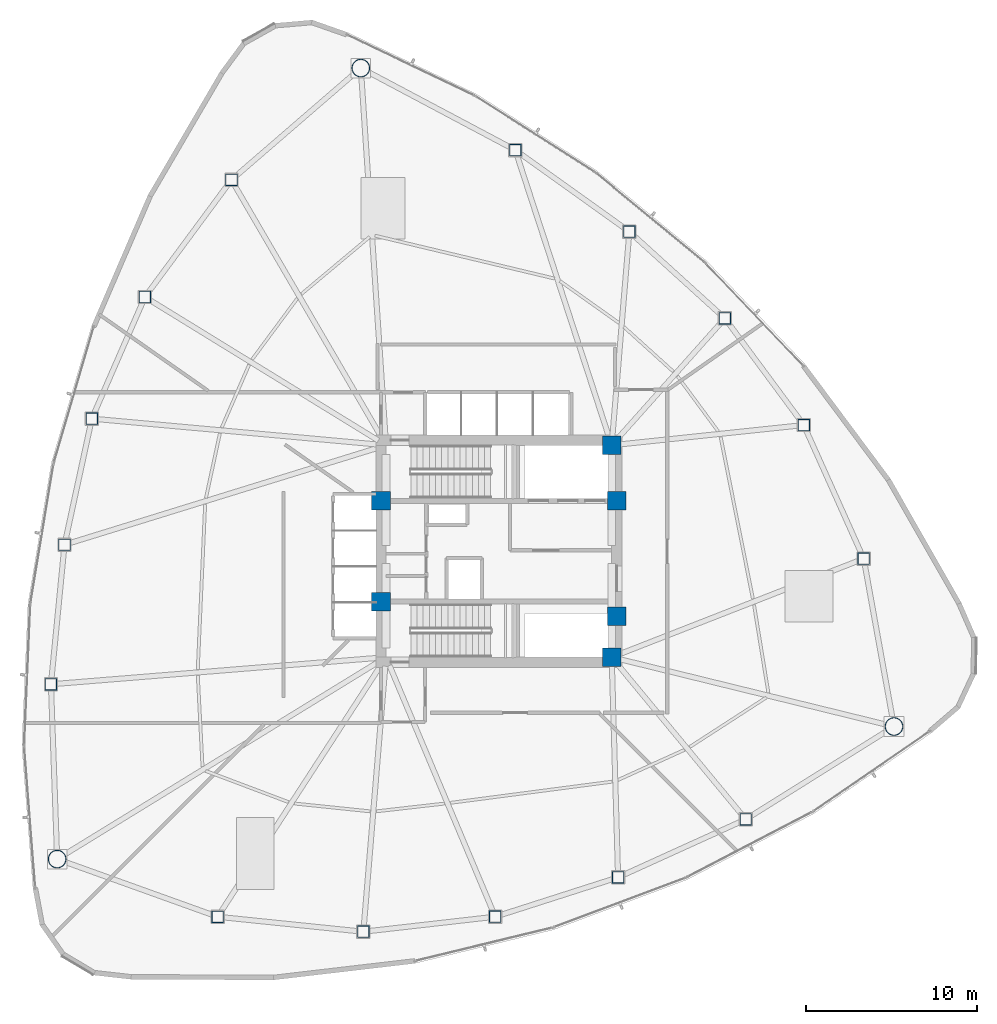
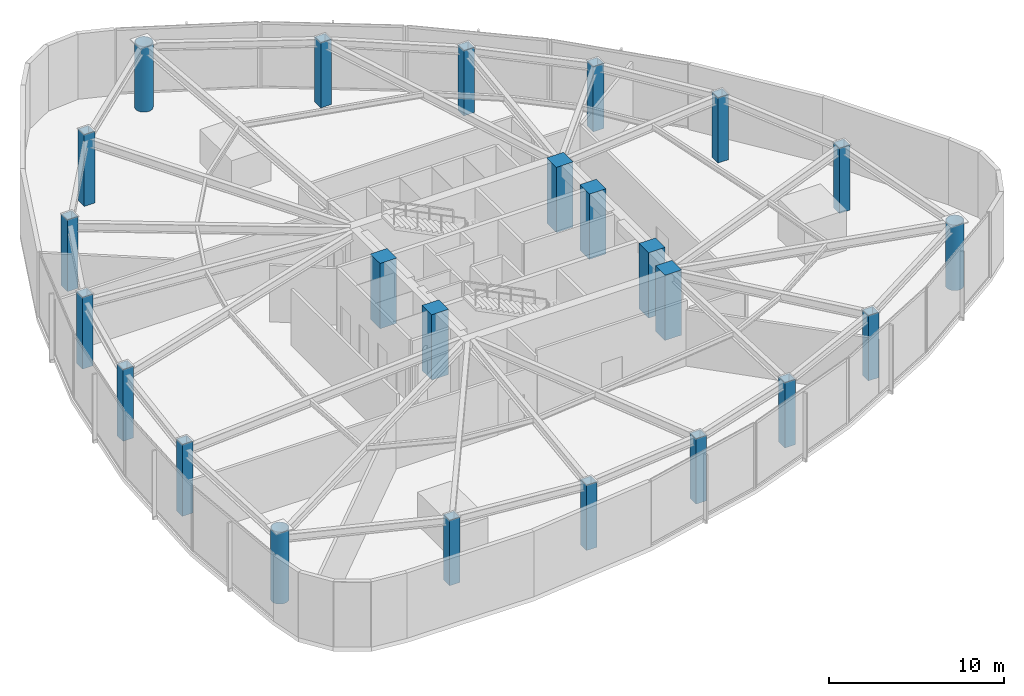
# One storey, part 1 of 16: 24 columns.
"""IFC4 building model written with IfcOpenShell, lengths in metres."""

from ifc_helpers import new_model, si_unit, direction, frame, origin, origin_2d, place, context, subcontext, project, spatial, rectangle, hollow_rectangle, hollow_circle, extrude, material, material_profile, profile_set, type_object, element, save


model = new_model("IFC4")

# Units and contexts
model_context = context("Model", 3, precision=1e-05, world=origin(), true_north=direction((0.0, 1.0)))
body_context = subcontext(model_context, "Body", "Model", "MODEL_VIEW")
ifc_project = project(units=[si_unit("LENGTHUNIT", "METRE"), si_unit("AREAUNIT", "SQUARE_METRE"), si_unit("VOLUMEUNIT", "CUBIC_METRE"), si_unit("PLANEANGLEUNIT", "RADIAN"), si_unit("MASSUNIT", "GRAM", prefix="KILO")], contexts=[model_context])

# Site, building, storey
site_placement = place(None, origin())
site = spatial("IfcSite", under=ifc_project, at=site_placement, CompositionType="ELEMENT")
building_placement = place(site_placement, origin())
building = spatial("IfcBuilding", under=site, at=building_placement, Name="Tavelor Broadcast Tower", CompositionType="ELEMENT")
storey_placement = place(building_placement, frame((0.0, 0.0, 97.800048828125)))
storey = spatial("IfcBuildingStorey", under=building, at=storey_placement, Name="L23", CompositionType="ELEMENT", Elevation=97.800048828125)

# Columns
ifc_material_1 = material(Name="Concrete C60/75", Category="concrete")
ifc_material_profile_1 = material_profile(ifc_material_1, rectangle(XDim=1.10009765625, YDim=1.10009765625, at=origin_2d()), Name="RC 1100x1100")
ifc_profile_set_1 = profile_set([ifc_material_profile_1], Name="Concrete C60/75")
column_type_1 = type_object("IfcColumnType", Name="Core Embedded Composite Column RC1100", PredefinedType="COLUMN", material=ifc_profile_set_1)
for number, where, z_axis, x_axis, name in (
    (1, (43.10009765625, 47.949951171875, 0.0), (0.0, 0.0, 1.0), (1.0, 0.0, 0.0), "L23 Core Embedded Column 1"),
    (2, (56.89990234375, 47.949951171875, 0.0), (0.0, 0.0, 1.0), (1.0, 0.0, 0.0), "L23 Core Embedded Column 2"),
    (3, (56.60009765625, 51.199951171875, 0.0), (0.0, 0.0, 1.0), (1.0, 0.0, 0.0), "L23 Core Embedded Column 3"),
    (4, (43.10009765625, 42.050048828125, 0.0), (0.0, 0.0, 1.0), (1.0, 0.0, 0.0), "L23 Core Embedded Column 4"),
    (5, (56.89990234375, 41.199951171875, 0.0), (0.0, 0.0, 1.0), (1.0, 0.0, 0.0), "L23 Core Embedded Column 5"),
    (6, (56.60009765625, 38.800048828125, 0.0), (0.0, 0.0, 1.0), (1.0, 0.0, 0.0), "L23 Core Embedded Column 6"),
):
    element("IfcColumn", number, at=place(storey_placement, frame(where, z_axis=z_axis, x_axis=x_axis)), inside=storey, type_object=column_type_1, Name=name, PredefinedType="COLUMN", context=body_context, shape_type="SweptSolid", body=[
        extrude(rectangle(XDim=1.10009765625, YDim=1.10009765625, at=origin_2d()), origin(), (0.0, 0.0, 1.0), 4.550048828125),
    ])
ifc_material_2 = material(Name="Steel S460", Category="steel")
ifc_material_profile_2 = material_profile(ifc_material_2, hollow_rectangle(XDim=0.699951171875, YDim=0.699951171875, WallThickness=0.0400390625, at=origin_2d()), Name="SHS 700x700x40")
ifc_profile_set_2 = profile_set([ifc_material_profile_2], Name="Steel S460")
column_type_2 = type_object("IfcColumnType", Name="Perimeter Tube Column T2 SHS 700x700x40", PredefinedType="COLUMN", material=ifc_profile_set_2)
for number, where, z_axis, x_axis, name in (
    (7, (34.356201171875, 66.727783203125, 0.0), (0.0, 0.0, 1.0), (1.0, 0.0, 0.0), "L23 Perimeter Framed-Tube Column 02"),
    (8, (29.292236328125, 59.87158203125, 0.0), (0.0, 0.0, 1.0), (1.0, 0.0, 0.0), "L23 Perimeter Framed-Tube Column 03"),
    (9, (26.189208984375, 52.75830078125, 0.0), (0.0, 0.0, 1.0), (1.0, 0.0, 0.0), "L23 Perimeter Framed-Tube Column 04"),
    (10, (24.58984375, 45.380615234375, 0.0), (0.0, 0.0, 1.0), (1.0, 0.0, 0.0), "L23 Perimeter Framed-Tube Column 05"),
    (11, (23.794677734375, 37.21630859375, 0.0), (0.0, 0.0, 1.0), (1.0, 0.0, 0.0), "L23 Perimeter Framed-Tube Column 06"),
):
    element("IfcColumn", number, at=place(storey_placement, frame(where, z_axis=z_axis, x_axis=x_axis)), inside=storey, type_object=column_type_2, Name=name, PredefinedType="COLUMN", context=body_context, shape_type="SweptSolid", body=[
        extrude(hollow_rectangle(XDim=0.699951171875, YDim=0.699951171875, WallThickness=0.0400390625, at=origin_2d()), origin(), (0.0, 0.0, 1.0), 5.0),
    ])
for number, where, z_axis, x_axis, name in (
    (12, (33.55078125, 23.615478515625, 0.0), (0.0, 0.0, 1.0), (1.0, 0.0, 0.0), "L23 Perimeter Framed-Tube Column 08"),
    (13, (42.0732421875, 22.740478515625, 0.0), (0.0, 0.0, 1.0), (1.0, 0.0, 0.0), "L23 Perimeter Framed-Tube Column 09"),
    (14, (49.78662109375, 23.617919921875, 0.0), (0.0, 0.0, 1.0), (1.0, 0.0, 0.0), "L23 Perimeter Framed-Tube Column 10"),
    (15, (56.975341796875, 25.92138671875, 0.0), (0.0, 0.0, 1.0), (1.0, 0.0, 0.0), "L23 Perimeter Framed-Tube Column 11"),
    (16, (64.443603515625, 29.31494140625, 0.0), (0.0, 0.0, 1.0), (1.0, 0.0, 0.0), "L23 Perimeter Framed-Tube Column 12"),
    (17, (71.343994140625, 44.564697265625, 0.0), (0.0, 0.0, 1.0), (1.0, 0.0, 0.0), "L23 Perimeter Framed-Tube Column 14"),
    (18, (67.8408203125, 52.382568359375, 0.0), (0.0, 0.0, 1.0), (1.0, 0.0, 0.0), "L23 Perimeter Framed-Tube Column 15"),
    (19, (63.22412109375, 58.623779296875, 0.0), (0.0, 0.0, 1.0), (1.0, 0.0, 0.0), "L23 Perimeter Framed-Tube Column 16"),
    (20, (57.634765625, 63.69775390625, 0.0), (0.0, 0.0, 1.0), (1.0, 0.0, 0.0), "L23 Perimeter Framed-Tube Column 17"),
    (21, (50.9619140625, 68.468505859375, 0.0), (0.0, 0.0, 1.0), (1.0, 0.0, 0.0), "L23 Perimeter Framed-Tube Column 18"),
):
    element("IfcColumn", number, at=place(storey_placement, frame(where, z_axis=z_axis, x_axis=x_axis)), inside=storey, type_object=column_type_2, Name=name, PredefinedType="COLUMN", context=body_context, shape_type="SweptSolid", body=[
        extrude(hollow_rectangle(XDim=0.699951171875, YDim=0.699951171875, WallThickness=0.0400390625, at=origin_2d()), origin(), (0.0, 0.0, 1.0), 4.550048828125),
    ])
ifc_material_profile_3 = material_profile(ifc_material_2, hollow_circle(Radius=0.533447265625, WallThickness=0.044921875, at=origin_2d()), Name="CHS 1067x45")
ifc_profile_set_3 = profile_set([ifc_material_profile_3], Name="Steel S460")
column_type_3 = type_object("IfcColumnType", Name="Tower Mega Column T2 CHS 1067x45", PredefinedType="COLUMN", material=ifc_profile_set_3)
column_1_placement = place(storey_placement, frame((41.923095703125, 73.266357421875, 0.0), z_axis=(0.0, 0.0, 1.0), x_axis=(1.0, 0.0, 0.0)))
element("IfcColumn", 22, at=column_1_placement, inside=storey, type_object=column_type_3, Name="L23 Tower Corner Mega Column 01", PredefinedType="COLUMN", context=body_context, shape_type="SweptSolid", body=[
    extrude(hollow_circle(Radius=0.533447265625, WallThickness=0.044921875, at=origin_2d()), origin(), (0.0, 0.0, 1.0), 4.550048828125),
])
column_2_placement = place(storey_placement, frame((24.1591796875, 26.98974609375, 0.0), z_axis=(0.0, 0.0, 1.0), x_axis=(1.0, 0.0, 0.0)))
element("IfcColumn", 23, at=column_2_placement, inside=storey, type_object=column_type_3, Name="L23 Tower Corner Mega Column 07", PredefinedType="COLUMN", context=body_context, shape_type="SweptSolid", body=[
    extrude(hollow_circle(Radius=0.533447265625, WallThickness=0.044921875, at=origin_2d()), origin(), (0.0, 0.0, 1.0), 5.0),
])
column_3_placement = place(storey_placement, frame((73.117919921875, 34.743896484375, 0.0), z_axis=(0.0, 0.0, 1.0), x_axis=(1.0, 0.0, 0.0)))
element("IfcColumn", 24, at=column_3_placement, inside=storey, type_object=column_type_3, Name="L23 Tower Corner Mega Column 13", PredefinedType="COLUMN", context=body_context, shape_type="SweptSolid", body=[
    extrude(hollow_circle(Radius=0.533447265625, WallThickness=0.044921875, at=origin_2d()), origin(), (0.0, 0.0, 1.0), 4.550048828125),
])

save(model, "model.ifc")
